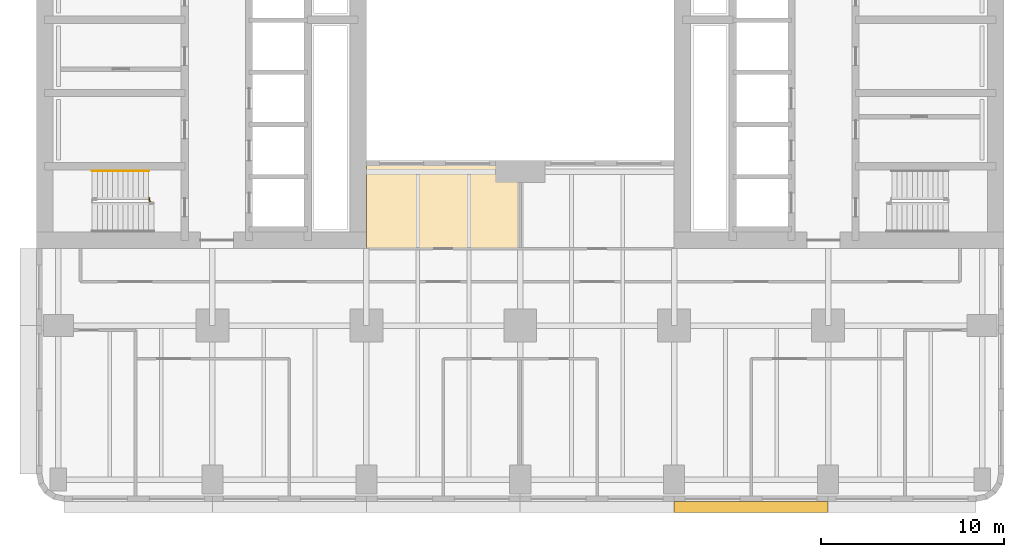
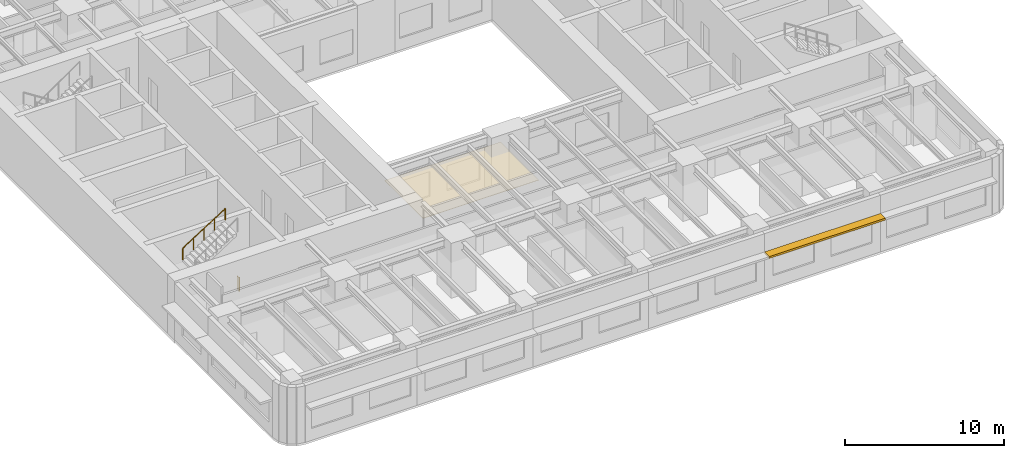
# One storey, part 10 of 14: 2 railings, 1 covering, 1 shading device.
"""IFC4 building model written with IfcOpenShell, lengths in metres."""

from ifc_helpers import new_model, si_unit, direction, frame, origin, origin_2d, place, context, subcontext, project, spatial, polyline, rectangle, circle, outline, extrude, material, layer, layer_set, type_object, element, save


model = new_model("IFC4")

# Units and contexts
model_context = context("Model", 3, precision=1e-05, world=origin(), true_north=direction((0.0, 1.0)))
body_context = subcontext(model_context, "Body", "Model", "MODEL_VIEW")
ifc_project = project(units=[si_unit("LENGTHUNIT", "METRE"), si_unit("AREAUNIT", "SQUARE_METRE"), si_unit("VOLUMEUNIT", "CUBIC_METRE"), si_unit("PLANEANGLEUNIT", "RADIAN"), si_unit("MASSUNIT", "GRAM", prefix="KILO")], contexts=[model_context])

# Site, building, storey
site_placement = place(None, origin())
site = spatial("IfcSite", under=ifc_project, at=site_placement, CompositionType="ELEMENT")
building_placement = place(site_placement, origin())
building = spatial("IfcBuilding", under=site, at=building_placement, Name="Claustro Exchange Tower", CompositionType="ELEMENT")
storey_placement = place(building_placement, frame((0.0, 0.0, 77.39990234375)))
storey = spatial("IfcBuildingStorey", under=building, at=storey_placement, Name="L17", CompositionType="ELEMENT", Elevation=77.39990234375)

# Covering
ifc_material_1 = material(Name="Perforated metal ceiling tiles", Category="steel")
ifc_layer_1 = layer(ifc_material_1, 0.030029296875)
ifc_layer_set_1 = layer_set([ifc_layer_1], Name="Perforated metal ceiling tiles")
covering_type = type_object("IfcCoveringType", Name="CL1 suspended metal ceiling", PredefinedType="CEILING", material=ifc_layer_set_1)
covering_placement = place(storey_placement, frame((0.0, 0.0, 3.0)))
element("IfcCovering", 1, at=covering_placement, inside=storey, type_object=covering_type, Name="Ceiling CL1 L17-09", PredefinedType="CEILING", context=body_context, shape_type="SweptSolid", body=[
    extrude(outline(polyline([(16.800048828125, 17.39990234375), (16.800048828125, 12.60009765625), (25.199951171875, 12.60009765625), (25.199951171875, 17.39990234375), (16.800048828125, 17.39990234375)])), origin(), (0.0, 0.0, 1.0), 0.030029296875),
])

# Railings
ifc_material_2 = material(Name="Steel balustrade, painted", Category="steel")
railing_type_1 = type_object("IfcRailingType", Name="GR2 1100 steel stair guard", PredefinedType="GUARDRAIL", material=ifc_material_2)
railing_1_placement = place(storey_placement, frame((5.0, 15.169921875, 0.0)))
element("IfcRailing", 2, at=railing_1_placement, inside=storey, type_object=railing_type_1, Name="Stair guard GR2 STWA L17", PredefinedType="GUARDRAIL", context=body_context, shape_type="SweptSolid", body=[
    extrude(circle(Radius=0.02392578125, at=origin_2d()), frame((0.0, 0.0, 1.076171875), z_axis=(0.0, 1.0, 0.0), x_axis=(-1.0, 0.0, 0.0)), (0.0, 0.0, 1.0), 0.030029296875),
    extrude(circle(Radius=0.02392578125, at=origin_2d()), frame((0.0, 0.030029296875, 1.076171875), z_axis=(-1.0, 0.0, 0.0), x_axis=(0.0, -1.0, 0.0)), (0.0, 0.0, 1.0), 0.054931640625),
    extrude(circle(Radius=0.02392578125, at=origin_2d()), frame((-0.054931640625, 0.030029296875, 1.076171875), z_axis=(0.0, 1.0, 0.0), x_axis=(-1.0, 0.0, 0.0)), (0.0, 0.0, 1.0), 0.179931640625),
    extrude(circle(Radius=0.02099609375, at=origin_2d()), origin(), (0.0, 0.0, 1.0), 1.052001953125),
    extrude(circle(Radius=0.02099609375, at=origin_2d()), frame((0.0, 0.030029296875, 0.0)), (0.0, 0.0, 1.0), 1.052001953125),
    extrude(circle(Radius=0.02099609375, at=origin_2d()), frame((-0.054931640625, 0.030029296875, 0.0)), (0.0, 0.0, 1.0), 1.052001953125),
    extrude(circle(Radius=0.02099609375, at=origin_2d()), frame((-0.054931640625, 0.2099609375, 0.0)), (0.0, 0.0, 1.0), 1.052001953125),
])
ifc_material_3 = material(Name="Stainless steel tube", Category="steel")
railing_type_2 = type_object("IfcRailingType", Name="HR1 900 stair handrail", PredefinedType="HANDRAIL", material=ifc_material_3)
railing_2_placement = place(storey_placement, frame((1.840087890625, 16.840087890625, 2.52001953125)))
element("IfcRailing", 3, at=railing_2_placement, inside=storey, type_object=railing_type_2, Name="Handrail HR1 stair STWA L17", PredefinedType="HANDRAIL", context=body_context, shape_type="SweptSolid", body=[
    extrude(circle(Radius=0.02392578125, at=origin_2d()), frame((0.0, 0.0, 0.8759765625), z_axis=(0.841167642724, 0.0, 0.540774441735), x_axis=(0.0, 1.0, 0.0)), (0.0, 0.0, 1.0), 3.661376953125),
    extrude(circle(Radius=0.02099609375, at=origin_2d()), origin(), (0.0, 0.0, 1.0), 0.851806640625),
    extrude(circle(Radius=0.02099609375, at=origin_2d()), frame((0.77001953125, 0.0, 0.4951171875)), (0.0, 0.0, 1.0), 0.851806640625),
    extrude(circle(Radius=0.02099609375, at=origin_2d()), frame((1.5400390625, 0.0, 0.989990234375)), (0.0, 0.0, 1.0), 0.851806640625),
    extrude(circle(Radius=0.02099609375, at=origin_2d()), frame((2.309814453125, 0.0, 1.48486328125)), (0.0, 0.0, 1.0), 0.851806640625),
    extrude(circle(Radius=0.02099609375, at=origin_2d()), frame((3.079833984375, 0.0, 1.97998046875)), (0.0, 0.0, 1.0), 0.851806640625),
])

# Shading device
ifc_material_4 = material(Name="Concrete HA-40 (C40/50), precast, white cement, acid-etched", Category="concrete")
ifc_layer_2 = layer(ifc_material_4, 0.14990234375)
ifc_layer_set_2 = layer_set([ifc_layer_2], Name="Concrete HA-40 (C40/50), precast, white cement, acid-etched")
shading_device_type = type_object("IfcShadingDeviceType", Name="SS1 600 precast concrete SUNSHADE", PredefinedType="SHUTTER", material=ifc_layer_set_2)
shading_device_placement = place(storey_placement, frame((37.800048828125, -1.5, 2.800048828125), z_axis=(0.0, 0.0, 1.0), x_axis=(-1.0, 0.0, 0.0)))
element("IfcShadingDevice", 4, at=shading_device_placement, inside=storey, type_object=shading_device_type, Name="Precast SUNSHADE SS1 L17", PredefinedType="SHUTTER", context=body_context, shape_type="SweptSolid", body=[
    extrude(rectangle(XDim=8.39990234375, YDim=0.60009765625, at=origin_2d()), origin(), (0.0, 0.0, 1.0), 0.14990234375),
])

save(model, "model.ifc")
